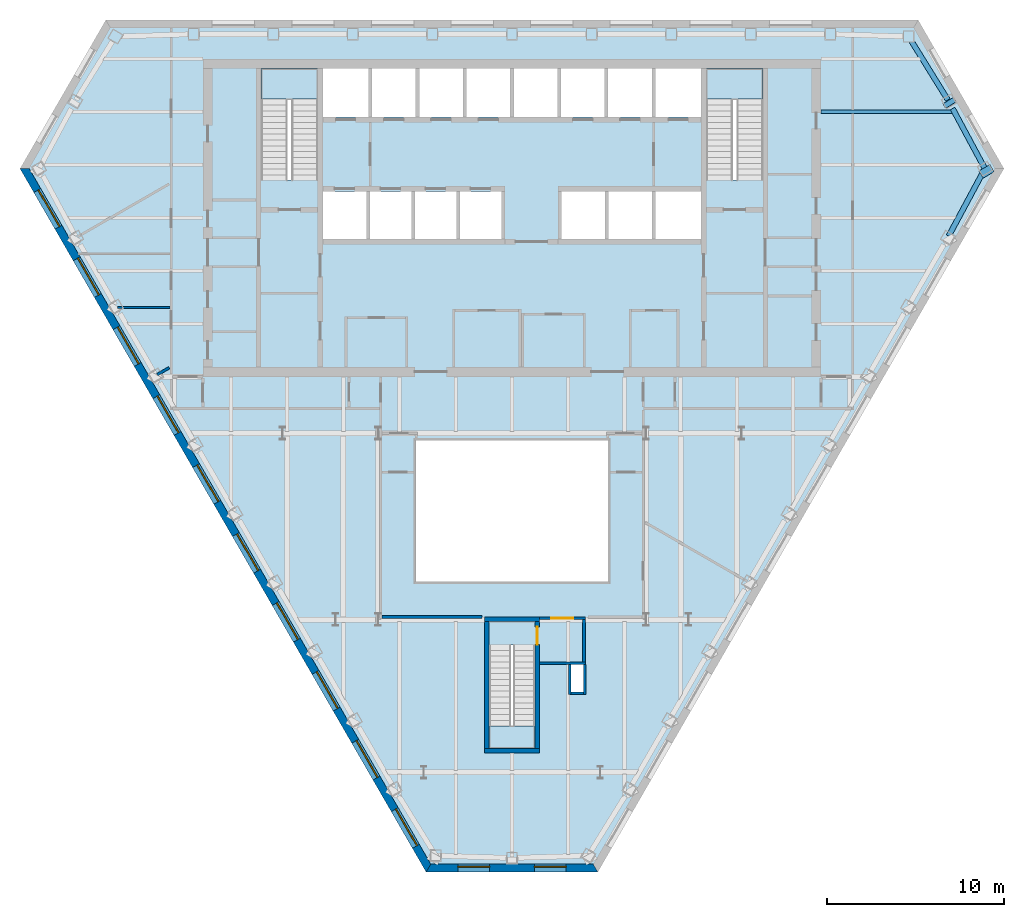
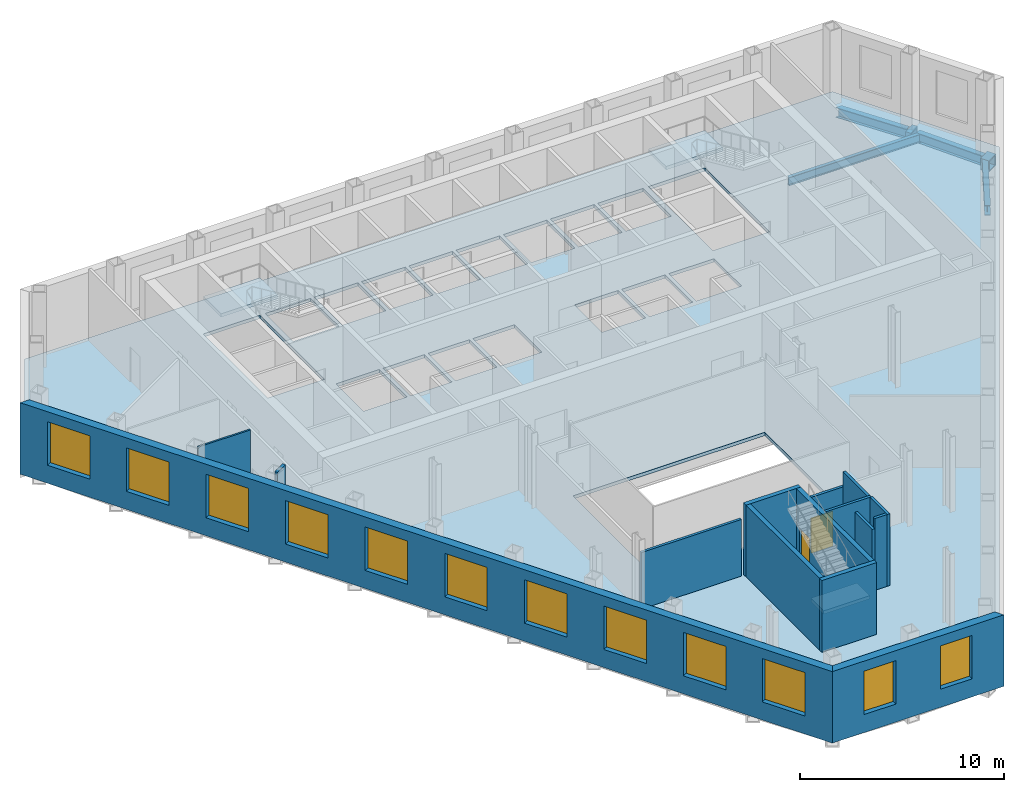
# One storey, part 4 of 12: 15 walls, 12 windows, 6 beams, 4 slabs, 2 doors, 14 openings, 3 elements without a shape of their own.
"""IFC4 building model written with IfcOpenShell, lengths in metres."""

from ifc_helpers import new_model, si_unit, direction, frame, frame_2d, origin, origin_2d, place, context, subcontext, project, spatial, polyline, rectangle, hollow_rectangle, i_section, outline, extrude, clip, halfspace, material, layer, layer_set, material_profile, profile_set, type_object, element, fill, aggregate, save


model = new_model("IFC4")

# Units and contexts
model_context = context("Model", 3, precision=1e-05, world=origin(), true_north=direction((0.0, 1.0)))
body_context = subcontext(model_context, "Body", "Model", "MODEL_VIEW")
ifc_project = project(units=[si_unit("LENGTHUNIT", "METRE"), si_unit("AREAUNIT", "SQUARE_METRE"), si_unit("VOLUMEUNIT", "CUBIC_METRE"), si_unit("PLANEANGLEUNIT", "RADIAN"), si_unit("MASSUNIT", "GRAM", prefix="KILO")], contexts=[model_context])

# Site, building, storey
site_placement = place(None, origin())
site = spatial("IfcSite", under=ifc_project, at=site_placement, CompositionType="ELEMENT")
building_placement = place(site_placement, origin())
building = spatial("IfcBuilding", under=site, at=building_placement, Name="Njiva Tower", CompositionType="ELEMENT")
storey_placement = place(building_placement, frame((0.0, 0.0, 111.3)))
storey = spatial("IfcBuildingStorey", under=building, at=storey_placement, Name="L23", CompositionType="ELEMENT", Elevation=111.3)

# Beams
ifc_material_1 = material(Name="Steel S355 J2", Category="steel")
ifc_material_profile_1 = material_profile(ifc_material_1, hollow_rectangle(XDim=0.7, YDim=0.7, WallThickness=0.08, at=origin_2d()), Name="BOX 700x700x80")
ifc_profile_set_1 = profile_set([ifc_material_profile_1], Name="Steel S355 J2")
beam_type_1 = type_object("IfcBeamType", Name="B19 Column jog beam BOX 700x700x80", PredefinedType="BEAM", material=ifc_profile_set_1)
beam_1_placement = place(storey_placement, frame((26.989, 11.427, -0.55), z_axis=(-0.511075392877, 0.859535888021, 0.0), x_axis=(-0.859535888021, -0.511075392877, 0.0)))
element("IfcBeam", 1, at=beam_1_placement, inside=storey, type_object=beam_type_1, Name="Column jog beam S08-B058", PredefinedType="BEAM", context=body_context, shape_type="SweptSolid", body=[
    extrude(hollow_rectangle(XDim=0.7, YDim=0.7, WallThickness=0.08, at=origin_2d()), origin(), (0.0, 0.0, 1.0), 0.4735),
])
beam_2_placement = place(storey_placement, frame((24.856, 15.389, -0.55), z_axis=(-0.522403984203, 0.852698116152, 0.0), x_axis=(-0.852698116152, -0.522403984203, 0.0)))
element("IfcBeam", 2, at=beam_2_placement, inside=storey, type_object=beam_type_1, Name="Column jog beam S08-B057", PredefinedType="BEAM", context=body_context, shape_type="SweptSolid", body=[
    extrude(hollow_rectangle(XDim=0.7, YDim=0.7, WallThickness=0.08, at=origin_2d()), origin(), (0.0, 0.0, 1.0), 0.2967),
])
ifc_material_profile_2 = material_profile(ifc_material_1, i_section(OverallWidth=0.2, OverallDepth=0.5, WebThickness=0.0102, FlangeThickness=0.016, at=origin_2d()), Name="IPE 500")
ifc_profile_set_2 = profile_set([ifc_material_profile_2], Name="Steel S355 J2")
beam_type_2 = type_object("IfcBeamType", Name="B24 Floor beam to the core IPE 500", PredefinedType="BEAM", material=ifc_profile_set_2)
beam_3_placement = place(storey_placement, frame((17.5, 15.0, -0.45), z_axis=(1.0, 0.0, 0.0), x_axis=(0.0, 1.0, 0.0)))
element("IfcBeam", 3, at=beam_3_placement, inside=storey, type_object=beam_type_2, Name="Floor beam to the core S08-B013", PredefinedType="BEAM", context=body_context, shape_type="Clipping", body=[
    clip(extrude(i_section(OverallWidth=0.2, OverallDepth=0.5, WebThickness=0.0102, FlangeThickness=0.016, at=origin_2d()), origin(), (0.0, 0.0, 1.0), 7.51), halfspace(frame((0.0237, 0.0, 7.4234), z_axis=(0.473099472471, 0.0, 0.881009017631), x_axis=(0.0, 1.0, 0.0)), False)),
])
ifc_material_profile_3 = material_profile(ifc_material_1, i_section(OverallWidth=0.3, OverallDepth=0.6, WebThickness=0.0155, FlangeThickness=0.03, at=origin_2d()), Name="HEB 600")
ifc_profile_set_3 = profile_set([ifc_material_profile_3], Name="Steel S355 J2")
beam_type_3 = type_object("IfcBeamType", Name="B3 Short-span spandrel beam HEB 600", PredefinedType="SPANDREL", material=ifc_profile_set_3)
beam_4_placement = place(storey_placement, frame((24.726, 7.969, -0.5), z_axis=(0.473830268864, 0.880616191259, 0.0), x_axis=(-0.880616191259, 0.473830268864, 0.0)))
element("IfcBeam", 4, at=beam_4_placement, inside=storey, type_object=beam_type_3, Name="Short-span spandrel beam S08-B159", PredefinedType="SPANDREL", context=body_context, shape_type="Clipping", body=[
    clip(extrude(i_section(OverallWidth=0.3, OverallDepth=0.6, WebThickness=0.0155, FlangeThickness=0.03, at=origin_2d()), origin(), (0.0, 0.0, 1.0), 4.0954), halfspace(frame((-0.0261, 0.0, 3.9666), z_axis=(-0.525722813075, 0.0, 0.850655937387), x_axis=(0.0, 1.0, 0.0)), False)),
])
beam_5_placement = place(storey_placement, frame((26.778, 11.782, -0.5), z_axis=(-0.473189817637, 0.880960496552, 0.0), x_axis=(-0.880960496552, -0.473189817637, 0.0)))
element("IfcBeam", 5, at=beam_5_placement, inside=storey, type_object=beam_type_3, Name="Short-span spandrel beam S08-B162", PredefinedType="SPANDREL", context=body_context, shape_type="SweptSolid", body=[
    extrude(i_section(OverallWidth=0.3, OverallDepth=0.6, WebThickness=0.0155, FlangeThickness=0.03, at=origin_2d()), origin(), (0.0, 0.0, 1.0), 3.8674),
])
beam_6_placement = place(storey_placement, frame((24.679, 15.678, -0.5), z_axis=(-0.526532575902, 0.850154954414, 0.0), x_axis=(-0.850154954414, -0.526532575902, 0.0)))
element("IfcBeam", 6, at=beam_6_placement, inside=storey, type_object=beam_type_3, Name="Short-span spandrel beam S08-B158", PredefinedType="SPANDREL", context=body_context, shape_type="Clipping", body=[
    clip(extrude(i_section(OverallWidth=0.3, OverallDepth=0.6, WebThickness=0.0155, FlangeThickness=0.03, at=origin_2d()), origin(), (0.0, 0.0, 1.0), 3.9817), halfspace(frame((-0.0263, 0.0, 3.8524), z_axis=(-0.526532575902, 0.0, 0.850154954414), x_axis=(0.0, 1.0, 0.0)), False)),
])

# Stair, slab
ifc_material_2 = material(Name="Concrete C40/50", Category="concrete")
stair_type_1 = type_object("IfcStairType", Name="ST4 Exit stair 1500", PredefinedType="HALF_TURN_STAIR", material=ifc_material_2)
stair_1_placement = place(storey_placement, origin())
stair_1 = element("IfcStair", 7, at=stair_1_placement, inside=storey, type_object=stair_type_1, Name="Stair A", PredefinedType="HALF_TURN_STAIR")
ifc_layer_1 = layer(ifc_material_2, 0.2)
ifc_layer_set_1 = layer_set([ifc_layer_1], Name="Concrete C40/50")
slab_type_1 = type_object("IfcSlabType", Name="FL9 Stair landing 200", PredefinedType="LANDING", material=ifc_layer_set_1)
slab_1_placement = place(storey_placement, frame((0.0, 0.0, 2.05)))
slab_1 = element("IfcSlab", 8, at=slab_1_placement, type_object=slab_type_1, Name="ST-A landing 1", PredefinedType="LANDING", context=body_context, shape_type="SweptSolid", body=[
    extrude(outline(polyline([(-14.206, 15.72), (-10.994, 15.72), (-10.994, 17.45), (-14.206, 17.45), (-14.206, 15.72)])), origin(), (0.0, 0.0, 1.0), 0.2),
])
aggregate(stair_1, [slab_1])

stair_2_placement = place(storey_placement, origin())
stair_2 = element("IfcStair", 9, at=stair_2_placement, inside=storey, type_object=stair_type_1, Name="Stair B", PredefinedType="HALF_TURN_STAIR")
slab_2_placement = place(storey_placement, frame((0.0, 0.0, 2.05)))
slab_2 = element("IfcSlab", 10, at=slab_2_placement, type_object=slab_type_1, Name="ST-B landing 1", PredefinedType="LANDING", context=body_context, shape_type="SweptSolid", body=[
    extrude(outline(polyline([(10.994, 15.72), (14.206, 15.72), (14.206, 17.45), (10.994, 17.45), (10.994, 15.72)])), origin(), (0.0, 0.0, 1.0), 0.2),
])
aggregate(stair_2, [slab_2])

stair_type_2 = type_object("IfcStairType", Name="ST1 Exit stair 1250", PredefinedType="HALF_TURN_STAIR", material=ifc_material_2)
stair_3_placement = place(storey_placement, origin())
stair_3 = element("IfcStair", 11, at=stair_3_placement, inside=storey, type_object=stair_type_2, Name="Stair C", PredefinedType="HALF_TURN_STAIR")
slab_3_placement = place(storey_placement, frame((0.0, 0.0, 2.05)))
slab_3 = element("IfcSlab", 12, at=slab_3_placement, type_object=slab_type_1, Name="ST-C landing 1", PredefinedType="LANDING", context=body_context, shape_type="SweptSolid", body=[
    extrude(outline(polyline([(-1.306, -21.05), (1.306, -21.05), (1.306, -19.78), (-1.306, -19.78), (-1.306, -21.05)])), origin(), (0.0, 0.0, 1.0), 0.2),
])
aggregate(stair_3, [slab_3])

# Slab
ifc_material_3 = material(Name="Concrete C30/37", Category="concrete")
ifc_layer_2 = layer(ifc_material_3, 0.2)
ifc_layer_set_2 = layer_set([ifc_layer_2], Name="Concrete C30/37")
slab_type_2 = type_object("IfcSlabType", Name="SL16 Composite floor slab 200", PredefinedType="FLOOR", material=ifc_layer_set_2)
slab_4_placement = place(storey_placement, frame((0.0, 0.0, -0.2)))
element("IfcSlab", 13, at=slab_4_placement, inside=storey, type_object=slab_type_2, Name="Floor slab L23", PredefinedType="FLOOR", context=body_context, shape_type="SweptSolid", body=[
    extrude(outline(polyline([(27.5952, 11.7822), (4.7301, -27.8213), (-4.7301, -27.8213), (-27.5952, 11.7822), (-22.8651, 19.975), (22.8651, 19.975), (27.5952, 11.7822)]), holes=[polyline([(10.994, 11.13), (14.206, 11.13), (14.206, 17.45), (10.994, 17.45), (10.994, 11.13)]), polyline([(8.125, 17.45), (8.125, 14.7), (10.7, 14.7), (10.7, 17.45), (8.125, 17.45)]), polyline([(8.1333, 10.5), (8.1333, 7.8), (10.7, 7.8), (10.7, 10.5), (8.1333, 10.5)]), polyline([(5.4667, 10.5), (5.4667, 7.8), (7.9333, 7.8), (7.9333, 10.5), (5.4667, 10.5)]), polyline([(5.45, 17.45), (5.45, 14.7), (7.925, 14.7), (7.925, 17.45), (5.45, 17.45)]), polyline([(5.43, -11.6), (5.43, -3.6), (-5.43, -3.6), (-5.43, -11.6), (5.43, -11.6)]), polyline([(2.8, 7.8), (5.2667, 7.8), (5.2667, 10.5), (2.8, 10.5), (2.8, 7.8)]), polyline([(2.775, 14.7), (5.25, 14.7), (5.25, 17.45), (2.775, 17.45), (2.775, 14.7)]), polyline([(3.35, -17.85), (4.05, -17.85), (4.05, -16.3), (3.35, -16.3), (3.35, -17.85)]), polyline([(0.1, 14.7), (2.575, 14.7), (2.575, 17.45), (0.1, 17.45), (0.1, 14.7)]), polyline([(-1.306, -21.05), (1.306, -21.05), (1.306, -15.19), (-1.306, -15.19), (-1.306, -21.05)]), polyline([(-2.575, 17.45), (-2.575, 14.7), (-0.1, 14.7), (-0.1, 17.45), (-2.575, 17.45)]), polyline([(-2.95, 10.5), (-2.95, 7.8), (-0.6, 7.8), (-0.6, 10.5), (-2.95, 10.5)]), polyline([(-5.25, 17.45), (-5.25, 14.7), (-2.775, 14.7), (-2.775, 17.45), (-5.25, 17.45)]), polyline([(-5.5, 10.5), (-5.5, 7.8), (-3.15, 7.8), (-3.15, 10.5), (-5.5, 10.5)]), polyline([(-7.925, 14.7), (-5.45, 14.7), (-5.45, 17.45), (-7.925, 17.45), (-7.925, 14.7)]), polyline([(-8.05, 7.8), (-5.7, 7.8), (-5.7, 10.5), (-8.05, 10.5), (-8.05, 7.8)]), polyline([(-10.7, 14.7), (-8.125, 14.7), (-8.125, 17.45), (-10.7, 17.45), (-10.7, 14.7)]), polyline([(-10.7, 7.8), (-8.25, 7.8), (-8.25, 10.5), (-10.7, 10.5), (-10.7, 7.8)]), polyline([(-14.206, 11.13), (-10.994, 11.13), (-10.994, 17.45), (-14.206, 17.45), (-14.206, 11.13)])]), origin(), (0.0, 0.0, 1.0), 0.2),
])

# Walls
ifc_material_4 = material(Name="Gypsum board on steel studs", Category="gypsum")
ifc_layer_3 = layer(ifc_material_4, 0.1)
ifc_layer_set_3 = layer_set([ifc_layer_3], Name="Gypsum board on steel studs")
wall_type_1 = type_object("IfcWallType", Name="WT20 Gypsum partition 100", PredefinedType="PARTITIONING", material=ifc_layer_set_3)
wall_1_placement = place(storey_placement, frame((-22.325, 3.925, 0.0), z_axis=(0.0, 0.0, 1.0), x_axis=(0.999998563634, -0.00169491282, 0.0)))
element("IfcWall", 14, at=wall_1_placement, inside=storey, type_object=wall_type_1, Name="Partition S08-P003", PredefinedType="PARTITIONING", context=body_context, shape_type="SweptSolid", body=[
    extrude(rectangle(XDim=2.95, YDim=0.1, at=frame_2d((1.475, 0.0))), origin(), (0.0, 0.0, 1.0), 4.3),
])
ifc_layer_4 = layer(ifc_material_4, 0.15)
ifc_layer_set_4 = layer_set([ifc_layer_4], Name="Gypsum board on steel studs")
wall_type_2 = type_object("IfcWallType", Name="WT21 Compartment wall 150", PredefinedType="PARTITIONING", material=ifc_layer_set_4)
wall_2_placement = place(storey_placement, frame((-20.085, 0.124, 0.0), z_axis=(0.0, 0.0, 1.0), x_axis=(0.86633556233, 0.499462404434, 0.0)))
element("IfcWall", 15, at=wall_2_placement, inside=storey, type_object=wall_type_2, Name="Partition S08-P004", PredefinedType="PARTITIONING", context=body_context, shape_type="SweptSolid", body=[
    extrude(rectangle(XDim=0.7768, YDim=0.15, at=frame_2d((0.3884, 0.0))), origin(), (0.0, 0.0, 1.0), 4.3),
])
wall_3_placement = place(storey_placement, frame((-7.355, -13.6, 0.0), z_axis=(0.0, 0.0, 1.0), x_axis=(1.0, 0.0, 0.0)))
element("IfcWall", 16, at=wall_3_placement, inside=storey, type_object=wall_type_2, Name="Partition S08-P011", PredefinedType="PARTITIONING", context=body_context, shape_type="SweptSolid", body=[
    extrude(rectangle(XDim=5.655, YDim=0.15, at=frame_2d((2.8275, 0.0))), origin(), (0.0, 0.0, 1.0), 3.39),
])
ifc_material_5 = material(Name="Blockwork", Category="masonry")
ifc_layer_5 = layer(ifc_material_5, 0.15)
ifc_layer_set_5 = layer_set([ifc_layer_5], Name="Blockwork")
wall_type_3 = type_object("IfcWallType", Name="WT4 Stair partition 150", PredefinedType="PARTITIONING", material=ifc_layer_set_5)
wall_4_placement = place(storey_placement, frame((1.55, -16.225, 0.0), z_axis=(0.0, 0.0, 1.0), x_axis=(1.0, 0.0, 0.0)))
element("IfcWall", 17, at=wall_4_placement, inside=storey, type_object=wall_type_3, Name="Stair C vestibule wall south", PredefinedType="PARTITIONING", context=body_context, shape_type="SweptSolid", body=[
    extrude(rectangle(XDim=2.6, YDim=0.15, at=frame_2d((1.3, 0.0))), origin(), (0.0, 0.0, 1.0), 4.3),
])
wall_5_placement = place(storey_placement, frame((4.075, -16.15, 0.0), z_axis=(0.0, 0.0, 1.0), x_axis=(0.0, 1.0, 0.0)))
element("IfcWall", 18, at=wall_5_placement, inside=storey, type_object=wall_type_3, Name="Stair C vestibule wall east", PredefinedType="PARTITIONING", context=body_context, shape_type="SweptSolid", body=[
    extrude(rectangle(XDim=2.4, YDim=0.15, at=frame_2d((1.2, 0.0))), origin(), (0.0, 0.0, 1.0), 4.3),
])

# Wall, opening, door
wall_6_placement = place(storey_placement, frame((1.55, -13.675, 0.0), z_axis=(0.0, 0.0, 1.0), x_axis=(1.0, 0.0, 0.0)))
wall_6 = element("IfcWall", 19, at=wall_6_placement, inside=storey, type_object=wall_type_3, Name="Stair C vestibule wall north", PredefinedType="PARTITIONING", context=body_context, shape_type="SweptSolid", body=[
    extrude(rectangle(XDim=2.6, YDim=0.15, at=frame_2d((1.3, 0.0))), origin(), (0.0, 0.0, 1.0), 3.39),
])
opening_1_placement = place(wall_6_placement, frame((0.675, 0.0, 0.0)))
opening_1 = element("IfcOpeningElement", 20, at=opening_1_placement, cuts=wall_6, Name="Opening S08-D940", PredefinedType="OPENING", context=body_context, shape_type="SweptSolid", body=[
    extrude(rectangle(XDim=1.25, YDim=2.1, at=frame_2d((0.625, 1.05))), frame((0.0, 0.085, 0.0), z_axis=(0.0, -1.0, 0.0), x_axis=(1.0, 0.0, 0.0)), (0.0, 0.0, 1.0), 0.17),
])
ifc_material_6 = material(Name="Glazed steel fire door", Category="steel")
door_type_1 = type_object("IfcDoorType", Name="D8 Vestibule corridor door 1250x2100 glazed", OperationType="SINGLE_SWING_LEFT", PredefinedType="DOOR", material=ifc_material_6)
door_1_placement = place(opening_1_placement, origin())
door_1 = element("IfcDoor", 21, at=door_1_placement, inside=storey, type_object=door_type_1, Name="Stair vestibule corridor door", OperationType="SINGLE_SWING_RIGHT", OverallHeight=2.1, OverallWidth=1.25, PredefinedType="DOOR", context=body_context, shape_type="SweptSolid", body=[
    extrude(rectangle(XDim=1.25, YDim=2.1, at=frame_2d((0.625, 1.05))), frame((0.0, 0.025, 0.0), z_axis=(0.0, -1.0, 0.0), x_axis=(1.0, 0.0, 0.0)), (0.0, 0.0, 1.0), 0.05),
])
fill(opening_1, door_1)

# Walls
wall_7_placement = place(storey_placement, frame((3.275, -18.0, 0.0), z_axis=(0.0, 0.0, 1.0), x_axis=(0.0, 1.0, 0.0)))
element("IfcWall", 22, at=wall_7_placement, inside=storey, type_object=wall_type_3, Name="Stair C pressurisation shaft wall", PredefinedType="PARTITIONING", context=body_context, shape_type="SweptSolid", body=[
    extrude(rectangle(XDim=1.7, YDim=0.15, at=frame_2d((0.85, 0.0))), origin(), (0.0, 0.0, 1.0), 3.7),
])
wall_8_placement = place(storey_placement, frame((3.35, -17.925, 0.0), z_axis=(0.0, 0.0, 1.0), x_axis=(1.0, 0.0, 0.0)))
element("IfcWall", 23, at=wall_8_placement, inside=storey, type_object=wall_type_3, Name="Stair C pressurisation shaft wall", PredefinedType="PARTITIONING", context=body_context, shape_type="SweptSolid", body=[
    extrude(rectangle(XDim=0.7, YDim=0.15, at=frame_2d((0.35, 0.0))), origin(), (0.0, 0.0, 1.0), 4.3),
])
wall_9_placement = place(storey_placement, frame((4.125, -18.0, 0.0), z_axis=(0.0, 0.0, 1.0), x_axis=(0.0, 1.0, 0.0)))
element("IfcWall", 24, at=wall_9_placement, inside=storey, type_object=wall_type_3, Name="Stair C pressurisation shaft wall", PredefinedType="PARTITIONING", context=body_context, shape_type="SweptSolid", body=[
    extrude(rectangle(XDim=1.7, YDim=0.15, at=frame_2d((0.85, 0.0))), origin(), (0.0, 0.0, 1.0), 4.3),
])
ifc_layer_6 = layer(ifc_material_2, 0.25)
ifc_layer_set_6 = layer_set([ifc_layer_6], Name="Concrete C40/50")
wall_type_4 = type_object("IfcWallType", Name="WT9 Stair enclosure wall 250", PredefinedType="SHEAR", material=ifc_layer_set_6)
wall_10_placement = place(storey_placement, frame((-1.425, -21.05, 0.0), z_axis=(0.0, 0.0, 1.0), x_axis=(0.0, 1.0, 0.0)))
element("IfcWall", 25, at=wall_10_placement, inside=storey, type_object=wall_type_4, Name="Stair C wall west", PredefinedType="SHEAR", context=body_context, shape_type="SweptSolid", body=[
    extrude(rectangle(XDim=7.2, YDim=0.25, at=frame_2d((3.6, 0.0))), origin(), (0.0, 0.0, 1.0), 4.3),
])

# Wall, opening, door
wall_11_placement = place(storey_placement, frame((1.425, -21.05, 0.0), z_axis=(0.0, 0.0, 1.0), x_axis=(0.0, 1.0, 0.0)))
wall_11 = element("IfcWall", 26, at=wall_11_placement, inside=storey, type_object=wall_type_4, Name="Stair C wall east", PredefinedType="SHEAR", context=body_context, shape_type="SweptSolid", body=[
    extrude(rectangle(XDim=7.2, YDim=0.25, at=frame_2d((3.6, 0.0))), origin(), (0.0, 0.0, 1.0), 4.3),
])
opening_2_placement = place(wall_11_placement, frame((5.89, 0.0, 0.0)))
opening_2 = element("IfcOpeningElement", 27, at=opening_2_placement, cuts=wall_11, Name="Opening S08-D939", PredefinedType="OPENING", context=body_context, shape_type="SweptSolid", body=[
    extrude(rectangle(XDim=1.0, YDim=2.1, at=frame_2d((0.5, 1.05))), frame((0.0, 0.135, 0.0), z_axis=(0.0, -1.0, 0.0), x_axis=(1.0, 0.0, 0.0)), (0.0, 0.0, 1.0), 0.27),
])
door_type_2 = type_object("IfcDoorType", Name="D9 Stair vestibule door 1000x2100 glazed", OperationType="SINGLE_SWING_LEFT", PredefinedType="DOOR", material=ifc_material_6)
door_2_placement = place(opening_2_placement, origin())
door_2 = element("IfcDoor", 28, at=door_2_placement, inside=storey, type_object=door_type_2, Name="Stair C door", OperationType="SINGLE_SWING_LEFT", OverallHeight=2.1, OverallWidth=1.0, PredefinedType="DOOR", context=body_context, shape_type="SweptSolid", body=[
    extrude(rectangle(XDim=1.0, YDim=2.1, at=frame_2d((0.5, 1.05))), frame((0.0, 0.025, 0.0), z_axis=(0.0, -1.0, 0.0), x_axis=(1.0, 0.0, 0.0)), (0.0, 0.0, 1.0), 0.05),
])
fill(opening_2, door_2)

# Walls
for number, where, z_axis, x_axis, name in (
    (29, (-1.55, -21.175, 0.0), (0.0, 0.0, 1.0), (1.0, 0.0, 0.0), "Stair C wall south"),
    (30, (-1.55, -13.725, 0.0), (0.0, 0.0, 1.0), (1.0, 0.0, 0.0), "Stair C wall north"),
):
    element("IfcWall", number, at=place(storey_placement, frame(where, z_axis=z_axis, x_axis=x_axis)), inside=storey, type_object=wall_type_4, Name=name, PredefinedType="SHEAR", context=body_context, shape_type="SweptSolid", body=[
        extrude(rectangle(XDim=3.1, YDim=0.25, at=frame_2d((1.55, 0.0))), origin(), (0.0, 0.0, 1.0), 4.3),
    ])

# Wall, openings, windows
ifc_material_7 = material(Name="Brick masonry", Category="masonry")
ifc_layer_7 = layer(ifc_material_7, 0.45)
ifc_layer_set_7 = layer_set([ifc_layer_7], Name="Brick masonry")
wall_type_5 = type_object("IfcWallType", Name="WT90 Brick pier and spandrel wall 450", PredefinedType="SOLIDWALL", material=ifc_layer_set_7)
wall_12_placement = place(storey_placement, frame((-27.5952, 11.7822, -0.18), z_axis=(0.0, 0.0, 1.0), x_axis=(0.500000141277, -0.866025322218, 0.0)))
wall_12 = element("IfcWall", 31, at=wall_12_placement, inside=storey, type_object=wall_type_5, Name="Facade wall SW", PredefinedType="SOLIDWALL", context=body_context, shape_type="SweptSolid", body=[
    extrude(outline(polyline([(-0.1299, -0.225), (45.8601, -0.225), (45.6003, 0.225), (0.1299, 0.225), (-0.1299, -0.225)])), origin(), (0.0, 0.0, 1.0), 4.28),
])
opening_3_placement = place(wall_12_placement, frame((1.4237, 0.0, 1.08)))
opening_3 = element("IfcOpeningElement", 32, at=opening_3_placement, cuts=wall_12, Name="Opening S08-W11", PredefinedType="OPENING", context=body_context, shape_type="SweptSolid", body=[
    extrude(rectangle(XDim=2.4, YDim=2.6, at=frame_2d((1.2, 1.3))), frame((0.0, 0.235, 0.0), z_axis=(0.0, -1.0, 0.0), x_axis=(1.0, 0.0, 0.0)), (0.0, 0.0, 1.0), 0.47),
])
opening_4_placement = place(wall_12_placement, frame((5.8919, 0.0, 1.08)))
opening_4 = element("IfcOpeningElement", 33, at=opening_4_placement, cuts=wall_12, Name="Opening S08-W12", PredefinedType="OPENING", context=body_context, shape_type="SweptSolid", body=[
    extrude(rectangle(XDim=2.4, YDim=2.6, at=frame_2d((1.2, 1.3))), frame((0.0, 0.235, 0.0), z_axis=(0.0, -1.0, 0.0), x_axis=(1.0, 0.0, 0.0)), (0.0, 0.0, 1.0), 0.47),
])
opening_5_placement = place(wall_12_placement, frame((10.3985, 0.0, 1.08)))
opening_5 = element("IfcOpeningElement", 34, at=opening_5_placement, cuts=wall_12, Name="Opening S08-W13", PredefinedType="OPENING", context=body_context, shape_type="SweptSolid", body=[
    extrude(rectangle(XDim=2.4, YDim=2.6, at=frame_2d((1.2, 1.3))), frame((0.0, 0.235, 0.0), z_axis=(0.0, -1.0, 0.0), x_axis=(1.0, 0.0, 0.0)), (0.0, 0.0, 1.0), 0.47),
])
opening_6_placement = place(wall_12_placement, frame((14.9052, 0.0, 1.08)))
opening_6 = element("IfcOpeningElement", 35, at=opening_6_placement, cuts=wall_12, Name="Opening S08-W14", PredefinedType="OPENING", context=body_context, shape_type="SweptSolid", body=[
    extrude(rectangle(XDim=2.4, YDim=2.6, at=frame_2d((1.2, 1.3))), frame((0.0, 0.235, 0.0), z_axis=(0.0, -1.0, 0.0), x_axis=(1.0, 0.0, 0.0)), (0.0, 0.0, 1.0), 0.47),
])
opening_7_placement = place(wall_12_placement, frame((19.4118, 0.0, 1.08)))
opening_7 = element("IfcOpeningElement", 36, at=opening_7_placement, cuts=wall_12, Name="Opening S08-W15", PredefinedType="OPENING", context=body_context, shape_type="SweptSolid", body=[
    extrude(rectangle(XDim=2.4, YDim=2.6, at=frame_2d((1.2, 1.3))), frame((0.0, 0.235, 0.0), z_axis=(0.0, -1.0, 0.0), x_axis=(1.0, 0.0, 0.0)), (0.0, 0.0, 1.0), 0.47),
])
opening_8_placement = place(wall_12_placement, frame((23.9184, 0.0, 1.08)))
opening_8 = element("IfcOpeningElement", 37, at=opening_8_placement, cuts=wall_12, Name="Opening S08-W16", PredefinedType="OPENING", context=body_context, shape_type="SweptSolid", body=[
    extrude(rectangle(XDim=2.4, YDim=2.6, at=frame_2d((1.2, 1.3))), frame((0.0, 0.235, 0.0), z_axis=(0.0, -1.0, 0.0), x_axis=(1.0, 0.0, 0.0)), (0.0, 0.0, 1.0), 0.47),
])
opening_9_placement = place(wall_12_placement, frame((28.425, 0.0, 1.08)))
opening_9 = element("IfcOpeningElement", 38, at=opening_9_placement, cuts=wall_12, Name="Opening S08-W17", PredefinedType="OPENING", context=body_context, shape_type="SweptSolid", body=[
    extrude(rectangle(XDim=2.4, YDim=2.6, at=frame_2d((1.2, 1.3))), frame((0.0, 0.235, 0.0), z_axis=(0.0, -1.0, 0.0), x_axis=(1.0, 0.0, 0.0)), (0.0, 0.0, 1.0), 0.47),
])
opening_10_placement = place(wall_12_placement, frame((32.9316, 0.0, 1.08)))
opening_10 = element("IfcOpeningElement", 39, at=opening_10_placement, cuts=wall_12, Name="Opening S08-W18", PredefinedType="OPENING", context=body_context, shape_type="SweptSolid", body=[
    extrude(rectangle(XDim=2.4, YDim=2.6, at=frame_2d((1.2, 1.3))), frame((0.0, 0.235, 0.0), z_axis=(0.0, -1.0, 0.0), x_axis=(1.0, 0.0, 0.0)), (0.0, 0.0, 1.0), 0.47),
])
opening_11_placement = place(wall_12_placement, frame((37.4383, 0.0, 1.08)))
opening_11 = element("IfcOpeningElement", 40, at=opening_11_placement, cuts=wall_12, Name="Opening S08-W19", PredefinedType="OPENING", context=body_context, shape_type="SweptSolid", body=[
    extrude(rectangle(XDim=2.4, YDim=2.6, at=frame_2d((1.2, 1.3))), frame((0.0, 0.235, 0.0), z_axis=(0.0, -1.0, 0.0), x_axis=(1.0, 0.0, 0.0)), (0.0, 0.0, 1.0), 0.47),
])
opening_12_placement = place(wall_12_placement, frame((41.9065, 0.0, 1.08)))
opening_12 = element("IfcOpeningElement", 41, at=opening_12_placement, cuts=wall_12, Name="Opening S08-W20", PredefinedType="OPENING", context=body_context, shape_type="SweptSolid", body=[
    extrude(rectangle(XDim=2.4, YDim=2.6, at=frame_2d((1.2, 1.3))), frame((0.0, 0.235, 0.0), z_axis=(0.0, -1.0, 0.0), x_axis=(1.0, 0.0, 0.0)), (0.0, 0.0, 1.0), 0.47),
])
ifc_material_8 = material(Name="Clear glazing in aluminium frame", Category="aluminium")
window_type_1 = type_object("IfcWindowType", Name="W92 Deep-set window 2400x2600", PartitioningType="SINGLE_PANEL", PredefinedType="WINDOW", material=ifc_material_8)
window_1_placement = place(opening_3_placement, origin())
window_1 = element("IfcWindow", 42, at=window_1_placement, inside=storey, type_object=window_type_1, Name="Window", OverallHeight=2.6, OverallWidth=2.4, PartitioningType="SINGLE_PANEL", PredefinedType="WINDOW", context=body_context, shape_type="SweptSolid", body=[
    extrude(rectangle(XDim=2.4, YDim=2.6, at=frame_2d((1.2, 1.3))), frame((0.0, 0.105, 0.0), z_axis=(0.0, -1.0, 0.0), x_axis=(1.0, 0.0, 0.0)), (0.0, 0.0, 1.0), 0.06),
])
fill(opening_3, window_1)
window_2_placement = place(opening_4_placement, origin())
window_2 = element("IfcWindow", 43, at=window_2_placement, inside=storey, type_object=window_type_1, Name="Window", OverallHeight=2.6, OverallWidth=2.4, PartitioningType="SINGLE_PANEL", PredefinedType="WINDOW", context=body_context, shape_type="SweptSolid", body=[
    extrude(rectangle(XDim=2.4, YDim=2.6, at=frame_2d((1.2, 1.3))), frame((0.0, 0.105, 0.0), z_axis=(0.0, -1.0, 0.0), x_axis=(1.0, 0.0, 0.0)), (0.0, 0.0, 1.0), 0.06),
])
fill(opening_4, window_2)
window_3_placement = place(opening_5_placement, origin())
window_3 = element("IfcWindow", 44, at=window_3_placement, inside=storey, type_object=window_type_1, Name="Window", OverallHeight=2.6, OverallWidth=2.4, PartitioningType="SINGLE_PANEL", PredefinedType="WINDOW", context=body_context, shape_type="SweptSolid", body=[
    extrude(rectangle(XDim=2.4, YDim=2.6, at=frame_2d((1.2, 1.3))), frame((0.0, 0.105, 0.0), z_axis=(0.0, -1.0, 0.0), x_axis=(1.0, 0.0, 0.0)), (0.0, 0.0, 1.0), 0.06),
])
fill(opening_5, window_3)
window_4_placement = place(opening_6_placement, origin())
window_4 = element("IfcWindow", 45, at=window_4_placement, inside=storey, type_object=window_type_1, Name="Window", OverallHeight=2.6, OverallWidth=2.4, PartitioningType="SINGLE_PANEL", PredefinedType="WINDOW", context=body_context, shape_type="SweptSolid", body=[
    extrude(rectangle(XDim=2.4, YDim=2.6, at=frame_2d((1.2, 1.3))), frame((0.0, 0.105, 0.0), z_axis=(0.0, -1.0, 0.0), x_axis=(1.0, 0.0, 0.0)), (0.0, 0.0, 1.0), 0.06),
])
fill(opening_6, window_4)
window_5_placement = place(opening_7_placement, origin())
window_5 = element("IfcWindow", 46, at=window_5_placement, inside=storey, type_object=window_type_1, Name="Window", OverallHeight=2.6, OverallWidth=2.4, PartitioningType="SINGLE_PANEL", PredefinedType="WINDOW", context=body_context, shape_type="SweptSolid", body=[
    extrude(rectangle(XDim=2.4, YDim=2.6, at=frame_2d((1.2, 1.3))), frame((0.0, 0.105, 0.0), z_axis=(0.0, -1.0, 0.0), x_axis=(1.0, 0.0, 0.0)), (0.0, 0.0, 1.0), 0.06),
])
fill(opening_7, window_5)
window_6_placement = place(opening_8_placement, origin())
window_6 = element("IfcWindow", 47, at=window_6_placement, inside=storey, type_object=window_type_1, Name="Window", OverallHeight=2.6, OverallWidth=2.4, PartitioningType="SINGLE_PANEL", PredefinedType="WINDOW", context=body_context, shape_type="SweptSolid", body=[
    extrude(rectangle(XDim=2.4, YDim=2.6, at=frame_2d((1.2, 1.3))), frame((0.0, 0.105, 0.0), z_axis=(0.0, -1.0, 0.0), x_axis=(1.0, 0.0, 0.0)), (0.0, 0.0, 1.0), 0.06),
])
fill(opening_8, window_6)
window_7_placement = place(opening_9_placement, origin())
window_7 = element("IfcWindow", 48, at=window_7_placement, inside=storey, type_object=window_type_1, Name="Window", OverallHeight=2.6, OverallWidth=2.4, PartitioningType="SINGLE_PANEL", PredefinedType="WINDOW", context=body_context, shape_type="SweptSolid", body=[
    extrude(rectangle(XDim=2.4, YDim=2.6, at=frame_2d((1.2, 1.3))), frame((0.0, 0.105, 0.0), z_axis=(0.0, -1.0, 0.0), x_axis=(1.0, 0.0, 0.0)), (0.0, 0.0, 1.0), 0.06),
])
fill(opening_9, window_7)
window_8_placement = place(opening_10_placement, origin())
window_8 = element("IfcWindow", 49, at=window_8_placement, inside=storey, type_object=window_type_1, Name="Window", OverallHeight=2.6, OverallWidth=2.4, PartitioningType="SINGLE_PANEL", PredefinedType="WINDOW", context=body_context, shape_type="SweptSolid", body=[
    extrude(rectangle(XDim=2.4, YDim=2.6, at=frame_2d((1.2, 1.3))), frame((0.0, 0.105, 0.0), z_axis=(0.0, -1.0, 0.0), x_axis=(1.0, 0.0, 0.0)), (0.0, 0.0, 1.0), 0.06),
])
fill(opening_10, window_8)
window_9_placement = place(opening_11_placement, origin())
window_9 = element("IfcWindow", 50, at=window_9_placement, inside=storey, type_object=window_type_1, Name="Window", OverallHeight=2.6, OverallWidth=2.4, PartitioningType="SINGLE_PANEL", PredefinedType="WINDOW", context=body_context, shape_type="SweptSolid", body=[
    extrude(rectangle(XDim=2.4, YDim=2.6, at=frame_2d((1.2, 1.3))), frame((0.0, 0.105, 0.0), z_axis=(0.0, -1.0, 0.0), x_axis=(1.0, 0.0, 0.0)), (0.0, 0.0, 1.0), 0.06),
])
fill(opening_11, window_9)
window_10_placement = place(opening_12_placement, origin())
window_10 = element("IfcWindow", 51, at=window_10_placement, inside=storey, type_object=window_type_1, Name="Window", OverallHeight=2.6, OverallWidth=2.4, PartitioningType="SINGLE_PANEL", PredefinedType="WINDOW", context=body_context, shape_type="SweptSolid", body=[
    extrude(rectangle(XDim=2.4, YDim=2.6, at=frame_2d((1.2, 1.3))), frame((0.0, 0.105, 0.0), z_axis=(0.0, -1.0, 0.0), x_axis=(1.0, 0.0, 0.0)), (0.0, 0.0, 1.0), 0.06),
])
fill(opening_12, window_10)

ifc_material_9 = material(Name="Brick masonry, buff", Category="masonry")
ifc_layer_8 = layer(ifc_material_9, 0.45)
ifc_layer_set_8 = layer_set([ifc_layer_8], Name="Brick masonry, buff")
wall_type_6 = type_object("IfcWallType", Name="WT94 Brick pier and spandrel wall 450, buff", PredefinedType="SOLIDWALL", material=ifc_layer_set_8)
wall_13_placement = place(storey_placement, frame((-4.7301, -27.8213, -0.18), z_axis=(0.0, 0.0, 1.0), x_axis=(1.0, 0.0, 0.0)))
wall_13 = element("IfcWall", 52, at=wall_13_placement, inside=storey, type_object=wall_type_6, Name="Facade wall S", PredefinedType="SOLIDWALL", context=body_context, shape_type="SweptSolid", body=[
    extrude(outline(polyline([(-0.1299, -0.225), (9.5901, -0.225), (9.3303, 0.225), (0.1299, 0.225), (-0.1299, -0.225)])), origin(), (0.0, 0.0, 1.0), 4.28),
])
opening_13_placement = place(wall_13_placement, frame((1.6694, 0.0, 1.08)))
opening_13 = element("IfcOpeningElement", 53, at=opening_13_placement, cuts=wall_13, Name="Opening S08-W21", PredefinedType="OPENING", context=body_context, shape_type="SweptSolid", body=[
    extrude(rectangle(XDim=1.8, YDim=2.6, at=frame_2d((0.9, 1.3))), frame((0.0, 0.235, 0.0), z_axis=(0.0, -1.0, 0.0), x_axis=(1.0, 0.0, 0.0)), (0.0, 0.0, 1.0), 0.47),
])
opening_14_placement = place(wall_13_placement, frame((5.9907, 0.0, 1.08)))
opening_14 = element("IfcOpeningElement", 54, at=opening_14_placement, cuts=wall_13, Name="Opening S08-W22", PredefinedType="OPENING", context=body_context, shape_type="SweptSolid", body=[
    extrude(rectangle(XDim=1.8, YDim=2.6, at=frame_2d((0.9, 1.3))), frame((0.0, 0.235, 0.0), z_axis=(0.0, -1.0, 0.0), x_axis=(1.0, 0.0, 0.0)), (0.0, 0.0, 1.0), 0.47),
])
window_type_2 = type_object("IfcWindowType", Name="W96 Deep-set window 1800x2600", PartitioningType="SINGLE_PANEL", PredefinedType="WINDOW", material=ifc_material_8)
window_11_placement = place(opening_13_placement, origin())
window_11 = element("IfcWindow", 55, at=window_11_placement, inside=storey, type_object=window_type_2, Name="Window", OverallHeight=2.6, OverallWidth=1.8, PartitioningType="SINGLE_PANEL", PredefinedType="WINDOW", context=body_context, shape_type="SweptSolid", body=[
    extrude(rectangle(XDim=1.8, YDim=2.6, at=frame_2d((0.9, 1.3))), frame((0.0, 0.105, 0.0), z_axis=(0.0, -1.0, 0.0), x_axis=(1.0, 0.0, 0.0)), (0.0, 0.0, 1.0), 0.06),
])
fill(opening_13, window_11)
window_12_placement = place(opening_14_placement, origin())
window_12 = element("IfcWindow", 56, at=window_12_placement, inside=storey, type_object=window_type_2, Name="Window", OverallHeight=2.6, OverallWidth=1.8, PartitioningType="SINGLE_PANEL", PredefinedType="WINDOW", context=body_context, shape_type="SweptSolid", body=[
    extrude(rectangle(XDim=1.8, YDim=2.6, at=frame_2d((0.9, 1.3))), frame((0.0, 0.105, 0.0), z_axis=(0.0, -1.0, 0.0), x_axis=(1.0, 0.0, 0.0)), (0.0, 0.0, 1.0), 0.06),
])
fill(opening_14, window_12)

save(model, "model.ifc")
